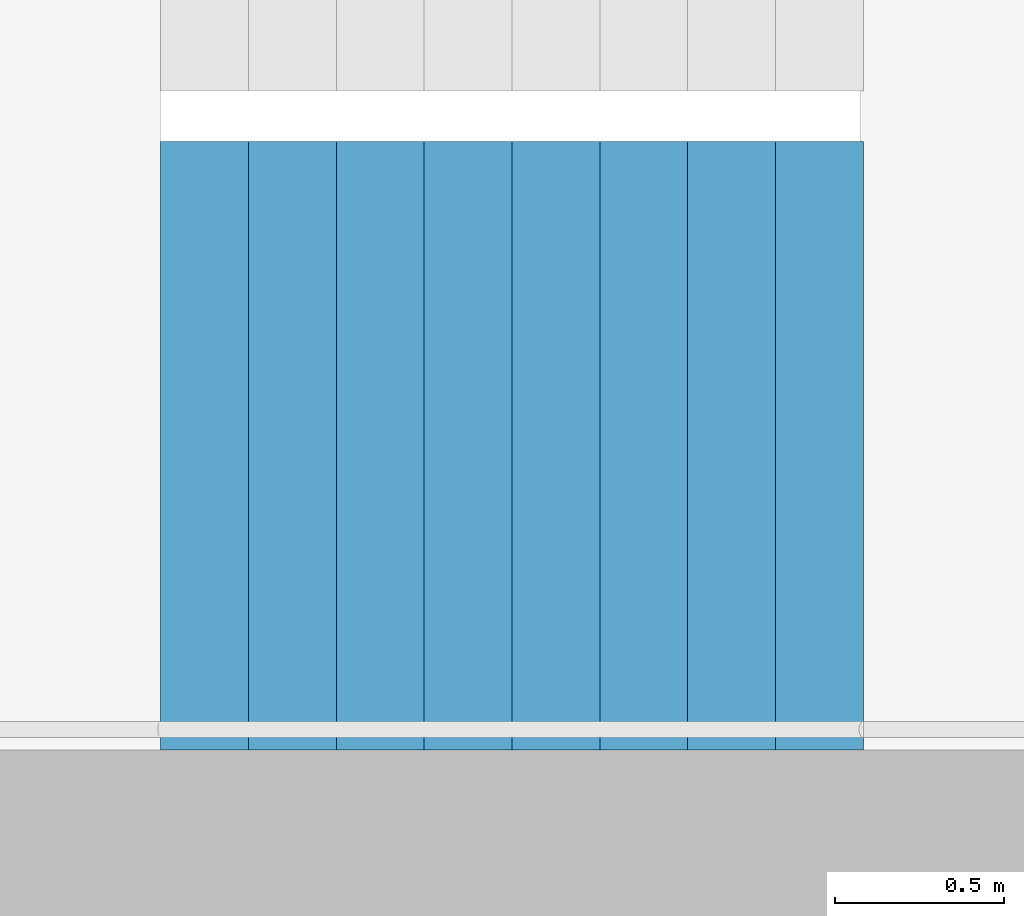
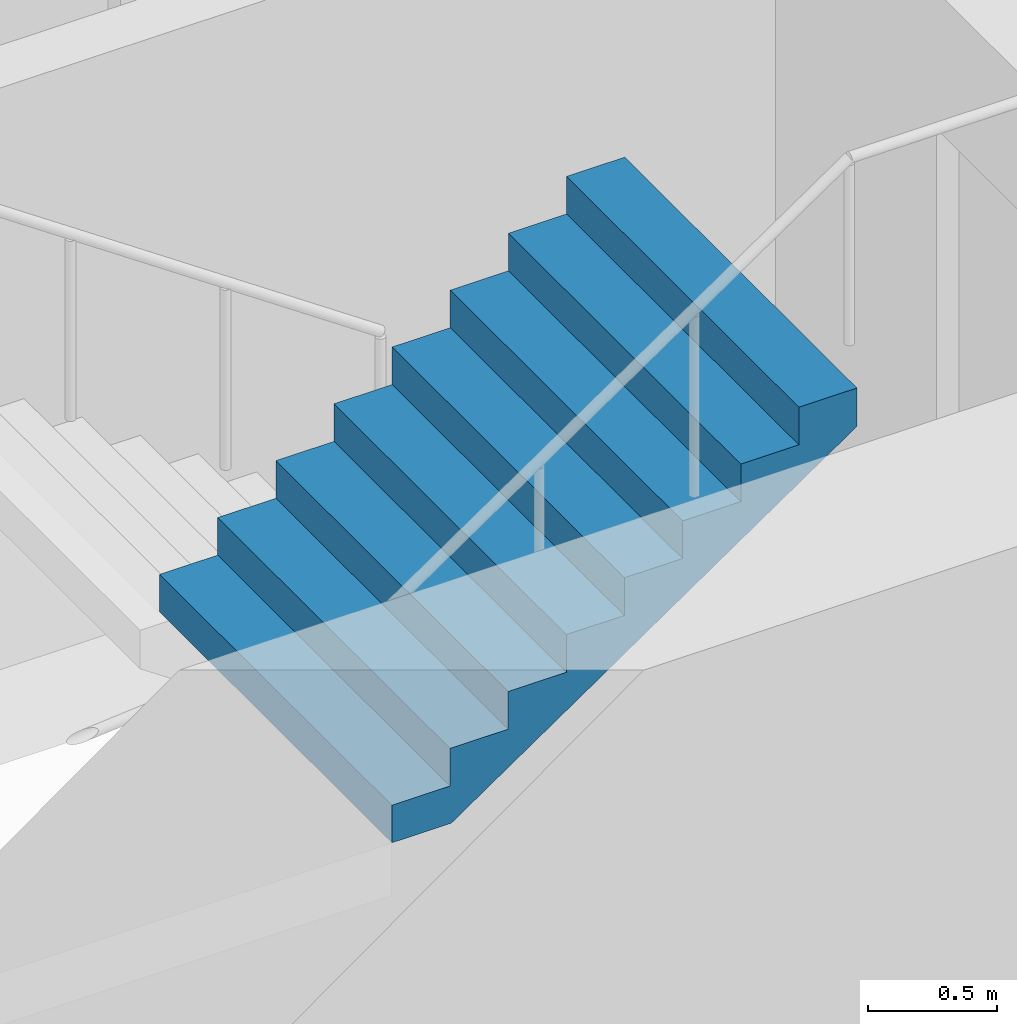
# One storey, part 16 of 29: 1 stair flight, 1 element without a shape of its own.
"""IFC4 building model written with IfcOpenShell, lengths in metres."""

from ifc_helpers import new_model, si_unit, direction, frame, origin, place, context, subcontext, project, spatial, triangles, material, type_object, element, aggregate, save


model = new_model("IFC4")

# Units and contexts
model_context = context("Model", 3, precision=1e-05, world=origin(), true_north=direction((0.0, 1.0)))
body_context = subcontext(model_context, "Body", "Model", "MODEL_VIEW")
ifc_project = project(units=[si_unit("LENGTHUNIT", "METRE"), si_unit("AREAUNIT", "SQUARE_METRE"), si_unit("VOLUMEUNIT", "CUBIC_METRE"), si_unit("PLANEANGLEUNIT", "RADIAN"), si_unit("MASSUNIT", "GRAM", prefix="KILO")], contexts=[model_context])

# Site, building, storey
site_placement = place(None, origin())
site = spatial("IfcSite", under=ifc_project, at=site_placement, CompositionType="ELEMENT")
building_placement = place(site_placement, origin())
building = spatial("IfcBuilding", under=site, at=building_placement, Name="Hakoniwa Tower and Hamabe Station Hall", CompositionType="ELEMENT")
storey_placement = place(building_placement, frame((0.0, 0.0, 163.0)))
storey = spatial("IfcBuildingStorey", under=building, at=storey_placement, Name="L46", CompositionType="ELEMENT", Elevation=163.0)

# Stair, stair flight
ifc_material_1 = material(Name="Concrete C40", Category="concrete")
stair_type = type_object("IfcStairType", Name="ESCAPE STAIR 1800", PredefinedType="HALF_TURN_STAIR", material=ifc_material_1)
stair_placement = place(storey_placement, origin())
stair = element("IfcStair", 1, at=stair_placement, inside=storey, type_object=stair_type, Name="Escape stair ST-2 L46", PredefinedType="HALF_TURN_STAIR")
ifc_material_2 = material(Name="Concrete C40", Category="concrete")
stair_flight_type = type_object("IfcStairFlightType", Name="STAIR FLIGHT 1800", PredefinedType="STRAIGHT", material=ifc_material_2)
stair_flight_placement = place(storey_placement, frame((-25.47998046875, -6.60009765625, 1.60009765625), z_axis=(0.0, 0.0, 1.0), x_axis=(1.0, 0.0, 0.0)))
stair_flight = element("IfcStairFlight", 2, at=stair_flight_placement, type_object=stair_flight_type, Name="ST-2 flight 2", NumberOfRisers=9, NumberOfTreads=8, PredefinedType="STRAIGHT", RiserHeight=0.177777778, TreadLength=0.26, context=body_context, shape_type="Tessellation", body=[
    triangles([(0.0, 0.89990234375, 0.0), (0.260009765625, 0.89990234375, 0.0), (0.265625, 0.89990234375, 0.0), (0.52001953125, 0.89990234375, 0.174072265625), (0.780029296875, 0.89990234375, 0.351806640625), (1.0400390625, 0.89990234375, 0.529541015625), (1.300048828125, 0.89990234375, 0.707275390625), (1.56005859375, 0.89990234375, 0.885009765625), (1.820068359375, 0.89990234375, 1.062744140625), (2.080078125, 0.89990234375, 1.24072265625), (2.080078125, 0.89990234375, 1.422119140625), (1.820068359375, 0.89990234375, 1.422119140625), (1.820068359375, 0.89990234375, 1.244384765625), (1.56005859375, 0.89990234375, 1.244384765625), (1.56005859375, 0.89990234375, 1.066650390625), (1.300048828125, 0.89990234375, 1.066650390625), (1.300048828125, 0.89990234375, 0.888916015625), (1.0400390625, 0.89990234375, 0.888916015625), (1.0400390625, 0.89990234375, 0.711181640625), (0.780029296875, 0.89990234375, 0.711181640625), (0.780029296875, 0.89990234375, 0.533447265625), (0.52001953125, 0.89990234375, 0.533447265625), (0.52001953125, 0.89990234375, 0.35546875), (0.265625, 0.89990234375, 0.35546875), (0.260009765625, 0.89990234375, 0.35546875), (0.260009765625, 0.89990234375, 0.177734375), (0.0, 0.89990234375, 0.177734375), (0.0, 0.06005859375, 0.0), (0.260009765625, 0.06005859375, 0.0), (0.265625, 0.06005859375, 0.0), (0.52001953125, 0.06005859375, 0.174072265625), (0.780029296875, 0.06005859375, 0.351806640625), (1.0400390625, 0.06005859375, 0.529541015625), (1.300048828125, 0.06005859375, 0.707275390625), (1.56005859375, 0.06005859375, 0.885009765625), (1.820068359375, 0.06005859375, 1.062744140625), (2.080078125, 0.06005859375, 1.24072265625), (2.080078125, 0.06005859375, 1.422119140625), (1.820068359375, 0.06005859375, 1.422119140625), (1.820068359375, 0.06005859375, 1.244384765625), (1.56005859375, 0.06005859375, 1.244384765625), (1.56005859375, 0.06005859375, 1.066650390625), (1.300048828125, 0.06005859375, 1.066650390625), (1.300048828125, 0.06005859375, 0.888916015625), (1.0400390625, 0.06005859375, 0.888916015625), (1.0400390625, 0.06005859375, 0.711181640625), (0.780029296875, 0.06005859375, 0.711181640625), (0.780029296875, 0.06005859375, 0.533447265625), (0.52001953125, 0.06005859375, 0.533447265625), (0.52001953125, 0.06005859375, 0.35546875), (0.265625, 0.06005859375, 0.35546875), (0.260009765625, 0.06005859375, 0.35546875), (0.260009765625, 0.06005859375, 0.177734375), (0.0, 0.06005859375, 0.177734375), (0.0, 0.04296875, 0.0), (0.260009765625, 0.04296875, 0.0), (0.265625, 0.04296875, 0.0), (0.52001953125, 0.04296875, 0.174072265625), (0.780029296875, 0.04296875, 0.351806640625), (1.0400390625, 0.04296875, 0.529541015625), (1.300048828125, 0.04296875, 0.707275390625), (1.56005859375, 0.04296875, 0.885009765625), (1.820068359375, 0.04296875, 1.062744140625), (2.080078125, 0.04296875, 1.24072265625), (2.080078125, 0.04296875, 1.422119140625), (1.820068359375, 0.04296875, 1.422119140625), (1.820068359375, 0.04296875, 1.244384765625), (1.56005859375, 0.04296875, 1.244384765625), (1.56005859375, 0.04296875, 1.066650390625), (1.300048828125, 0.04296875, 1.066650390625), (1.300048828125, 0.04296875, 0.888916015625), (1.0400390625, 0.04296875, 0.888916015625), (1.0400390625, 0.04296875, 0.711181640625), (0.780029296875, 0.04296875, 0.711181640625), (0.780029296875, 0.04296875, 0.533447265625), (0.52001953125, 0.04296875, 0.533447265625), (0.52001953125, 0.04296875, 0.35546875), (0.265625, 0.04296875, 0.35546875), (0.260009765625, 0.04296875, 0.35546875), (0.260009765625, 0.04296875, 0.177734375), (0.0, 0.04296875, 0.177734375), (0.0, 0.025634765625, 0.0), (0.260009765625, 0.025634765625, 0.0), (0.265625, 0.025634765625, 0.0), (0.52001953125, 0.025634765625, 0.174072265625), (0.780029296875, 0.025634765625, 0.351806640625), (1.0400390625, 0.025634765625, 0.529541015625), (1.300048828125, 0.025634765625, 0.707275390625), (1.56005859375, 0.025634765625, 0.885009765625), (1.820068359375, 0.025634765625, 1.062744140625), (2.080078125, 0.025634765625, 1.24072265625), (2.080078125, 0.025634765625, 1.422119140625), (1.820068359375, 0.025634765625, 1.422119140625), (1.820068359375, 0.025634765625, 1.244384765625), (1.56005859375, 0.025634765625, 1.244384765625), (1.56005859375, 0.025634765625, 1.066650390625), (1.300048828125, 0.025634765625, 1.066650390625), (1.300048828125, 0.025634765625, 0.888916015625), (1.0400390625, 0.025634765625, 0.888916015625), (1.0400390625, 0.025634765625, 0.711181640625), (0.780029296875, 0.025634765625, 0.711181640625), (0.780029296875, 0.025634765625, 0.533447265625), (0.52001953125, 0.025634765625, 0.533447265625), (0.52001953125, 0.025634765625, 0.35546875), (0.265625, 0.025634765625, 0.35546875), (0.260009765625, 0.025634765625, 0.35546875), (0.260009765625, 0.025634765625, 0.177734375), (0.0, 0.025634765625, 0.177734375), (0.0, 0.008544921875, 0.0), (0.260009765625, 0.008544921875, 0.0), (0.265625, 0.008544921875, 0.0), (0.52001953125, 0.008544921875, 0.174072265625), (0.780029296875, 0.008544921875, 0.351806640625), (1.0400390625, 0.008544921875, 0.529541015625), (1.300048828125, 0.008544921875, 0.707275390625), (1.56005859375, 0.008544921875, 0.885009765625), (1.820068359375, 0.008544921875, 1.062744140625), (2.080078125, 0.008544921875, 1.24072265625), (2.080078125, 0.008544921875, 1.422119140625), (1.820068359375, 0.008544921875, 1.422119140625), (1.820068359375, 0.008544921875, 1.244384765625), (1.56005859375, 0.008544921875, 1.244384765625), (1.56005859375, 0.008544921875, 1.066650390625), (1.300048828125, 0.008544921875, 1.066650390625), (1.300048828125, 0.008544921875, 0.888916015625), (1.0400390625, 0.008544921875, 0.888916015625), (1.0400390625, 0.008544921875, 0.711181640625), (0.780029296875, 0.008544921875, 0.711181640625), (0.780029296875, 0.008544921875, 0.533447265625), (0.52001953125, 0.008544921875, 0.533447265625), (0.52001953125, 0.008544921875, 0.35546875), (0.265625, 0.008544921875, 0.35546875), (0.260009765625, 0.008544921875, 0.35546875), (0.260009765625, 0.008544921875, 0.177734375), (0.0, 0.008544921875, 0.177734375), (0.0, -0.008544921875, 0.0), (0.260009765625, -0.008544921875, 0.0), (0.265625, -0.008544921875, 0.0), (0.52001953125, -0.008544921875, 0.174072265625), (0.780029296875, -0.008544921875, 0.351806640625), (1.0400390625, -0.008544921875, 0.529541015625), (1.300048828125, -0.008544921875, 0.707275390625), (1.56005859375, -0.008544921875, 0.885009765625), (1.820068359375, -0.008544921875, 1.062744140625), (2.080078125, -0.008544921875, 1.24072265625), (2.080078125, -0.008544921875, 1.422119140625), (1.820068359375, -0.008544921875, 1.422119140625), (1.820068359375, -0.008544921875, 1.244384765625), (1.56005859375, -0.008544921875, 1.244384765625), (1.56005859375, -0.008544921875, 1.066650390625), (1.300048828125, -0.008544921875, 1.066650390625), (1.300048828125, -0.008544921875, 0.888916015625), (1.0400390625, -0.008544921875, 0.888916015625), (1.0400390625, -0.008544921875, 0.711181640625), (0.780029296875, -0.008544921875, 0.711181640625), (0.780029296875, -0.008544921875, 0.533447265625), (0.52001953125, -0.008544921875, 0.533447265625), (0.52001953125, -0.008544921875, 0.35546875), (0.265625, -0.008544921875, 0.35546875), (0.260009765625, -0.008544921875, 0.35546875), (0.260009765625, -0.008544921875, 0.177734375), (0.0, -0.008544921875, 0.177734375), (0.0, -0.025634765625, 0.0), (0.260009765625, -0.025634765625, 0.0), (0.265625, -0.025634765625, 0.0), (0.52001953125, -0.025634765625, 0.174072265625), (0.780029296875, -0.025634765625, 0.351806640625), (1.0400390625, -0.025634765625, 0.529541015625), (1.300048828125, -0.025634765625, 0.707275390625), (1.56005859375, -0.025634765625, 0.885009765625), (1.820068359375, -0.025634765625, 1.062744140625), (2.080078125, -0.025634765625, 1.24072265625), (2.080078125, -0.025634765625, 1.422119140625), (1.820068359375, -0.025634765625, 1.422119140625), (1.820068359375, -0.025634765625, 1.244384765625), (1.56005859375, -0.025634765625, 1.244384765625), (1.56005859375, -0.025634765625, 1.066650390625), (1.300048828125, -0.025634765625, 1.066650390625), (1.300048828125, -0.025634765625, 0.888916015625), (1.0400390625, -0.025634765625, 0.888916015625), (1.0400390625, -0.025634765625, 0.711181640625), (0.780029296875, -0.025634765625, 0.711181640625), (0.780029296875, -0.025634765625, 0.533447265625), (0.52001953125, -0.025634765625, 0.533447265625), (0.52001953125, -0.025634765625, 0.35546875), (0.265625, -0.025634765625, 0.35546875), (0.260009765625, -0.025634765625, 0.35546875), (0.260009765625, -0.025634765625, 0.177734375), (0.0, -0.025634765625, 0.177734375), (0.0, -0.04296875, 0.0), (0.260009765625, -0.04296875, 0.0), (0.265625, -0.04296875, 0.0), (0.52001953125, -0.04296875, 0.174072265625), (0.780029296875, -0.04296875, 0.351806640625), (1.0400390625, -0.04296875, 0.529541015625), (1.300048828125, -0.04296875, 0.707275390625), (1.56005859375, -0.04296875, 0.885009765625), (1.820068359375, -0.04296875, 1.062744140625), (2.080078125, -0.04296875, 1.24072265625), (2.080078125, -0.04296875, 1.422119140625), (1.820068359375, -0.04296875, 1.422119140625), (1.820068359375, -0.04296875, 1.244384765625), (1.56005859375, -0.04296875, 1.244384765625), (1.56005859375, -0.04296875, 1.066650390625), (1.300048828125, -0.04296875, 1.066650390625), (1.300048828125, -0.04296875, 0.888916015625), (1.0400390625, -0.04296875, 0.888916015625), (1.0400390625, -0.04296875, 0.711181640625), (0.780029296875, -0.04296875, 0.711181640625), (0.780029296875, -0.04296875, 0.533447265625), (0.52001953125, -0.04296875, 0.533447265625), (0.52001953125, -0.04296875, 0.35546875), (0.265625, -0.04296875, 0.35546875), (0.260009765625, -0.04296875, 0.35546875), (0.260009765625, -0.04296875, 0.177734375), (0.0, -0.04296875, 0.177734375), (0.0, -0.06005859375, 0.0), (0.260009765625, -0.06005859375, 0.0), (0.265625, -0.06005859375, 0.0), (0.52001953125, -0.06005859375, 0.174072265625), (0.780029296875, -0.06005859375, 0.351806640625), (1.0400390625, -0.06005859375, 0.529541015625), (1.300048828125, -0.06005859375, 0.707275390625), (1.56005859375, -0.06005859375, 0.885009765625), (1.820068359375, -0.06005859375, 1.062744140625), (2.080078125, -0.06005859375, 1.24072265625), (2.080078125, -0.06005859375, 1.422119140625), (1.820068359375, -0.06005859375, 1.422119140625), (1.820068359375, -0.06005859375, 1.244384765625), (1.56005859375, -0.06005859375, 1.244384765625), (1.56005859375, -0.06005859375, 1.066650390625), (1.300048828125, -0.06005859375, 1.066650390625), (1.300048828125, -0.06005859375, 0.888916015625), (1.0400390625, -0.06005859375, 0.888916015625), (1.0400390625, -0.06005859375, 0.711181640625), (0.780029296875, -0.06005859375, 0.711181640625), (0.780029296875, -0.06005859375, 0.533447265625), (0.52001953125, -0.06005859375, 0.533447265625), (0.52001953125, -0.06005859375, 0.35546875), (0.265625, -0.06005859375, 0.35546875), (0.260009765625, -0.06005859375, 0.35546875), (0.260009765625, -0.06005859375, 0.177734375), (0.0, -0.06005859375, 0.177734375), (0.0, -0.89990234375, 0.0), (0.260009765625, -0.89990234375, 0.0), (0.265625, -0.89990234375, 0.0), (0.52001953125, -0.89990234375, 0.174072265625), (0.780029296875, -0.89990234375, 0.351806640625), (1.0400390625, -0.89990234375, 0.529541015625), (1.300048828125, -0.89990234375, 0.707275390625), (1.56005859375, -0.89990234375, 0.885009765625), (1.820068359375, -0.89990234375, 1.062744140625), (2.080078125, -0.89990234375, 1.24072265625), (2.080078125, -0.89990234375, 1.422119140625), (1.820068359375, -0.89990234375, 1.422119140625), (1.820068359375, -0.89990234375, 1.244384765625), (1.56005859375, -0.89990234375, 1.244384765625), (1.56005859375, -0.89990234375, 1.066650390625), (1.300048828125, -0.89990234375, 1.066650390625), (1.300048828125, -0.89990234375, 0.888916015625), (1.0400390625, -0.89990234375, 0.888916015625), (1.0400390625, -0.89990234375, 0.711181640625), (0.780029296875, -0.89990234375, 0.711181640625), (0.780029296875, -0.89990234375, 0.533447265625), (0.52001953125, -0.89990234375, 0.533447265625), (0.52001953125, -0.89990234375, 0.35546875), (0.265625, -0.89990234375, 0.35546875), (0.260009765625, -0.89990234375, 0.35546875), (0.260009765625, -0.89990234375, 0.177734375), (0.0, -0.89990234375, 0.177734375)], [[2, 27, 26], [245, 269, 270], [2, 1, 27], [245, 270, 244], [3, 25, 24], [246, 267, 268], [3, 26, 25], [246, 268, 269], [3, 2, 26], [246, 269, 245], [4, 24, 23], [247, 266, 267], [4, 3, 24], [247, 267, 246], [5, 22, 21], [248, 264, 265], [5, 23, 22], [248, 265, 266], [5, 4, 23], [248, 266, 247], [6, 20, 19], [249, 262, 263], [6, 21, 20], [249, 263, 264], [6, 5, 21], [249, 264, 248], [7, 18, 17], [250, 260, 261], [7, 19, 18], [250, 261, 262], [7, 6, 19], [250, 262, 249], [8, 16, 15], [251, 258, 259], [8, 17, 16], [251, 259, 260], [8, 7, 17], [251, 260, 250], [9, 14, 13], [252, 256, 257], [9, 15, 14], [252, 257, 258], [9, 8, 15], [252, 258, 251], [10, 12, 11], [253, 254, 255], [10, 13, 12], [253, 255, 256], [10, 9, 13], [253, 256, 252], [1, 2, 29], [1, 29, 28], [28, 29, 56], [28, 56, 55], [55, 56, 83], [55, 83, 82], [82, 83, 110], [82, 110, 109], [109, 110, 137], [109, 137, 136], [136, 137, 164], [136, 164, 163], [163, 164, 191], [163, 191, 190], [190, 191, 218], [190, 218, 217], [217, 218, 245], [217, 245, 244], [2, 3, 30], [2, 30, 29], [29, 30, 57], [29, 57, 56], [56, 57, 84], [56, 84, 83], [83, 84, 111], [83, 111, 110], [110, 111, 138], [110, 138, 137], [137, 138, 165], [137, 165, 164], [164, 165, 192], [164, 192, 191], [191, 192, 219], [191, 219, 218], [218, 219, 246], [218, 246, 245], [3, 4, 31], [3, 31, 30], [30, 31, 58], [30, 58, 57], [57, 58, 85], [57, 85, 84], [84, 85, 112], [84, 112, 111], [111, 112, 139], [111, 139, 138], [138, 139, 166], [138, 166, 165], [165, 166, 193], [165, 193, 192], [192, 193, 220], [192, 220, 219], [219, 220, 247], [219, 247, 246], [4, 5, 32], [4, 32, 31], [31, 32, 59], [31, 59, 58], [58, 59, 86], [58, 86, 85], [85, 86, 113], [85, 113, 112], [112, 113, 140], [112, 140, 139], [139, 140, 167], [139, 167, 166], [166, 167, 194], [166, 194, 193], [193, 194, 221], [193, 221, 220], [220, 221, 248], [220, 248, 247], [5, 6, 33], [5, 33, 32], [32, 33, 60], [32, 60, 59], [59, 60, 87], [59, 87, 86], [86, 87, 114], [86, 114, 113], [113, 114, 141], [113, 141, 140], [140, 141, 168], [140, 168, 167], [167, 168, 195], [167, 195, 194], [194, 195, 222], [194, 222, 221], [221, 222, 249], [221, 249, 248], [6, 7, 34], [6, 34, 33], [33, 34, 61], [33, 61, 60], [60, 61, 88], [60, 88, 87], [87, 88, 115], [87, 115, 114], [114, 115, 142], [114, 142, 141], [141, 142, 169], [141, 169, 168], [168, 169, 196], [168, 196, 195], [195, 196, 223], [195, 223, 222], [222, 223, 250], [222, 250, 249], [7, 8, 35], [7, 35, 34], [34, 35, 62], [34, 62, 61], [61, 62, 89], [61, 89, 88], [88, 89, 116], [88, 116, 115], [115, 116, 143], [115, 143, 142], [142, 143, 170], [142, 170, 169], [169, 170, 197], [169, 197, 196], [196, 197, 224], [196, 224, 223], [223, 224, 251], [223, 251, 250], [8, 9, 36], [8, 36, 35], [35, 36, 63], [35, 63, 62], [62, 63, 90], [62, 90, 89], [89, 90, 117], [89, 117, 116], [116, 117, 144], [116, 144, 143], [143, 144, 171], [143, 171, 170], [170, 171, 198], [170, 198, 197], [197, 198, 225], [197, 225, 224], [224, 225, 252], [224, 252, 251], [9, 10, 37], [9, 37, 36], [36, 37, 64], [36, 64, 63], [63, 64, 91], [63, 91, 90], [90, 91, 118], [90, 118, 117], [117, 118, 145], [117, 145, 144], [144, 145, 172], [144, 172, 171], [171, 172, 199], [171, 199, 198], [198, 199, 226], [198, 226, 225], [225, 226, 253], [225, 253, 252], [10, 11, 38], [10, 38, 37], [37, 38, 65], [37, 65, 64], [64, 65, 92], [64, 92, 91], [91, 92, 119], [91, 119, 118], [118, 119, 146], [118, 146, 145], [145, 146, 173], [145, 173, 172], [172, 173, 200], [172, 200, 199], [199, 200, 227], [199, 227, 226], [226, 227, 254], [226, 254, 253], [11, 12, 39], [11, 39, 38], [38, 39, 66], [38, 66, 65], [65, 66, 93], [65, 93, 92], [92, 93, 120], [92, 120, 119], [119, 120, 147], [119, 147, 146], [146, 147, 174], [146, 174, 173], [173, 174, 201], [173, 201, 200], [200, 201, 228], [200, 228, 227], [227, 228, 255], [227, 255, 254], [12, 13, 40], [12, 40, 39], [39, 40, 67], [39, 67, 66], [66, 67, 94], [66, 94, 93], [93, 94, 121], [93, 121, 120], [120, 121, 148], [120, 148, 147], [147, 148, 175], [147, 175, 174], [174, 175, 202], [174, 202, 201], [201, 202, 229], [201, 229, 228], [228, 229, 256], [228, 256, 255], [13, 14, 41], [13, 41, 40], [40, 41, 68], [40, 68, 67], [67, 68, 95], [67, 95, 94], [94, 95, 122], [94, 122, 121], [121, 122, 149], [121, 149, 148], [148, 149, 176], [148, 176, 175], [175, 176, 203], [175, 203, 202], [202, 203, 230], [202, 230, 229], [229, 230, 257], [229, 257, 256], [14, 15, 42], [14, 42, 41], [41, 42, 69], [41, 69, 68], [68, 69, 96], [68, 96, 95], [95, 96, 123], [95, 123, 122], [122, 123, 150], [122, 150, 149], [149, 150, 177], [149, 177, 176], [176, 177, 204], [176, 204, 203], [203, 204, 231], [203, 231, 230], [230, 231, 258], [230, 258, 257], [15, 16, 43], [15, 43, 42], [42, 43, 70], [42, 70, 69], [69, 70, 97], [69, 97, 96], [96, 97, 124], [96, 124, 123], [123, 124, 151], [123, 151, 150], [150, 151, 178], [150, 178, 177], [177, 178, 205], [177, 205, 204], [204, 205, 232], [204, 232, 231], [231, 232, 259], [231, 259, 258], [16, 17, 44], [16, 44, 43], [43, 44, 71], [43, 71, 70], [70, 71, 98], [70, 98, 97], [97, 98, 125], [97, 125, 124], [124, 125, 152], [124, 152, 151], [151, 152, 179], [151, 179, 178], [178, 179, 206], [178, 206, 205], [205, 206, 233], [205, 233, 232], [232, 233, 260], [232, 260, 259], [17, 18, 45], [17, 45, 44], [44, 45, 72], [44, 72, 71], [71, 72, 99], [71, 99, 98], [98, 99, 126], [98, 126, 125], [125, 126, 153], [125, 153, 152], [152, 153, 180], [152, 180, 179], [179, 180, 207], [179, 207, 206], [206, 207, 234], [206, 234, 233], [233, 234, 261], [233, 261, 260], [18, 19, 46], [18, 46, 45], [45, 46, 73], [45, 73, 72], [72, 73, 100], [72, 100, 99], [99, 100, 127], [99, 127, 126], [126, 127, 154], [126, 154, 153], [153, 154, 181], [153, 181, 180], [180, 181, 208], [180, 208, 207], [207, 208, 235], [207, 235, 234], [234, 235, 262], [234, 262, 261], [19, 20, 47], [19, 47, 46], [46, 47, 74], [46, 74, 73], [73, 74, 101], [73, 101, 100], [100, 101, 128], [100, 128, 127], [127, 128, 155], [127, 155, 154], [154, 155, 182], [154, 182, 181], [181, 182, 209], [181, 209, 208], [208, 209, 236], [208, 236, 235], [235, 236, 263], [235, 263, 262], [20, 21, 48], [20, 48, 47], [47, 48, 75], [47, 75, 74], [74, 75, 102], [74, 102, 101], [101, 102, 129], [101, 129, 128], [128, 129, 156], [128, 156, 155], [155, 156, 183], [155, 183, 182], [182, 183, 210], [182, 210, 209], [209, 210, 237], [209, 237, 236], [236, 237, 264], [236, 264, 263], [21, 22, 49], [21, 49, 48], [48, 49, 76], [48, 76, 75], [75, 76, 103], [75, 103, 102], [102, 103, 130], [102, 130, 129], [129, 130, 157], [129, 157, 156], [156, 157, 184], [156, 184, 183], [183, 184, 211], [183, 211, 210], [210, 211, 238], [210, 238, 237], [237, 238, 265], [237, 265, 264], [22, 23, 50], [22, 50, 49], [49, 50, 77], [49, 77, 76], [76, 77, 104], [76, 104, 103], [103, 104, 131], [103, 131, 130], [130, 131, 158], [130, 158, 157], [157, 158, 185], [157, 185, 184], [184, 185, 212], [184, 212, 211], [211, 212, 239], [211, 239, 238], [238, 239, 266], [238, 266, 265], [23, 24, 51], [23, 51, 50], [50, 51, 78], [50, 78, 77], [77, 78, 105], [77, 105, 104], [104, 105, 132], [104, 132, 131], [131, 132, 159], [131, 159, 158], [158, 159, 186], [158, 186, 185], [185, 186, 213], [185, 213, 212], [212, 213, 240], [212, 240, 239], [239, 240, 267], [239, 267, 266], [24, 25, 52], [24, 52, 51], [51, 52, 79], [51, 79, 78], [78, 79, 106], [78, 106, 105], [105, 106, 133], [105, 133, 132], [132, 133, 160], [132, 160, 159], [159, 160, 187], [159, 187, 186], [186, 187, 214], [186, 214, 213], [213, 214, 241], [213, 241, 240], [240, 241, 268], [240, 268, 267], [25, 26, 53], [25, 53, 52], [52, 53, 80], [52, 80, 79], [79, 80, 107], [79, 107, 106], [106, 107, 134], [106, 134, 133], [133, 134, 161], [133, 161, 160], [160, 161, 188], [160, 188, 187], [187, 188, 215], [187, 215, 214], [214, 215, 242], [214, 242, 241], [241, 242, 269], [241, 269, 268], [26, 27, 54], [26, 54, 53], [53, 54, 81], [53, 81, 80], [80, 81, 108], [80, 108, 107], [107, 108, 135], [107, 135, 134], [134, 135, 162], [134, 162, 161], [161, 162, 189], [161, 189, 188], [188, 189, 216], [188, 216, 215], [215, 216, 243], [215, 243, 242], [242, 243, 270], [242, 270, 269], [27, 1, 28], [27, 28, 54], [54, 28, 55], [54, 55, 81], [81, 55, 82], [81, 82, 108], [108, 82, 109], [108, 109, 135], [135, 109, 136], [135, 136, 162], [162, 136, 163], [162, 163, 189], [189, 163, 190], [189, 190, 216], [216, 190, 217], [216, 217, 243], [243, 217, 244], [243, 244, 270]], closed=True),
])
aggregate(stair, [stair_flight])

save(model, "model.ifc")
